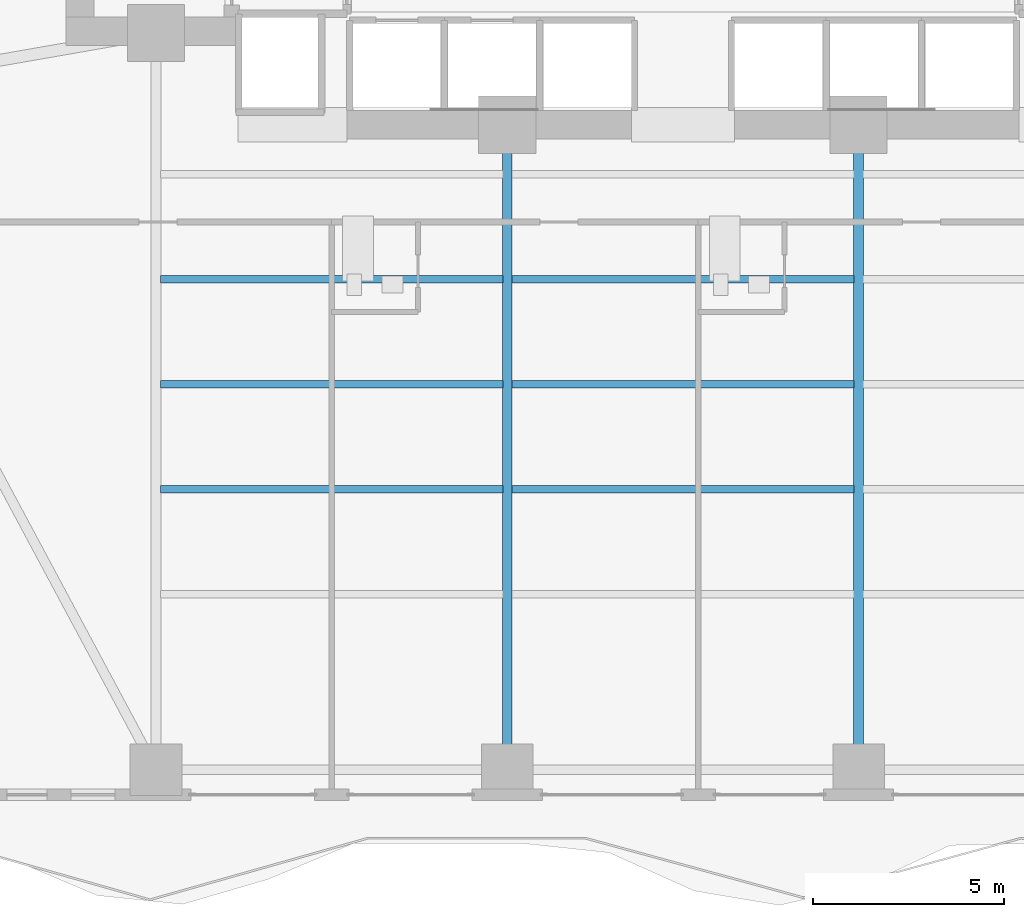
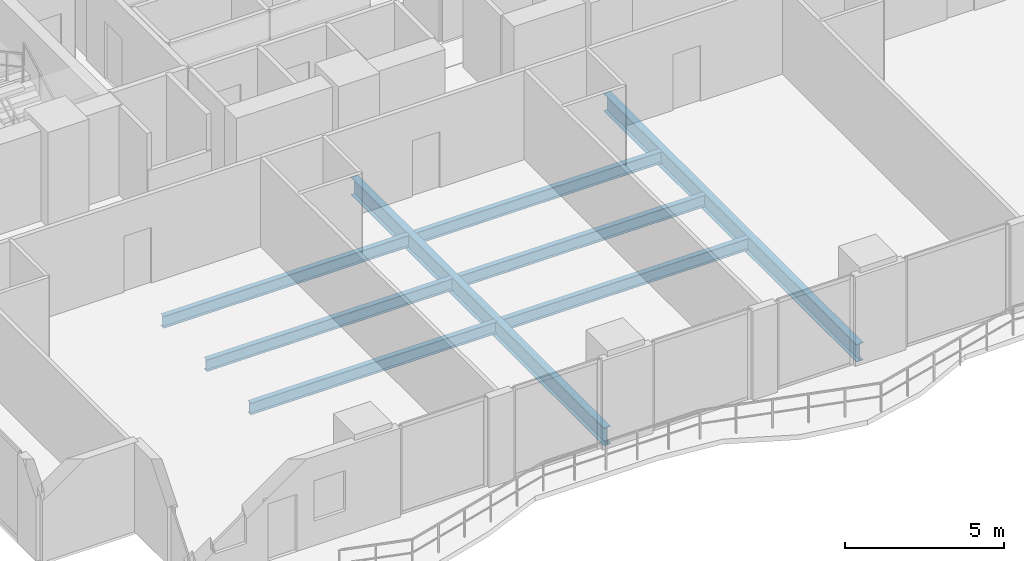
# One storey, part 6 of 27: 8 beams.
"""IFC4 building model written with IfcOpenShell, lengths in metres."""

import ifcopenshell
import ifcopenshell.guid

model = None  # the IFC model being written
_history = None  # IfcOwnerHistory: only IFC2X3 demands one
_inside = {}  # id of a spatial element -> (the spatial element, [elements in it])
_under = {}  # id of a project, library or spatial element -> (it, [spatial elements below it])
_declared = {}  # id of a project -> (the project, [libraries it declares])
_typed = {}  # id of a type object -> (the type object, [elements of that type])
_made_of = {}  # id of a material, layer set ... -> (it, [elements and type objects made of it])


def new_model(schema):
    """Start an empty IFC model of exactly this schema.

    Asked for "IFC4X3", IfcOpenShell would pick the latest addendum, in which some entities
    have other attributes; the version numbers below select the first issue.
    IFC2X3 requires an IfcOwnerHistory on every rooted entity: one is made here for all.
    """
    global model, _history
    if schema == "IFC4X3":
        model = ifcopenshell.file(schema_version=(4, 3, 0, 0))
    else:
        model = ifcopenshell.file(schema=schema)
    _inside.clear()
    _under.clear()
    _declared.clear()
    _typed.clear()
    _made_of.clear()
    _history = None
    if model.schema == "IFC2X3":
        org = make("IfcOrganization", Name="unknown")
        user = make(
            "IfcPersonAndOrganization",
            ThePerson=make("IfcPerson", FamilyName="unknown"),
            TheOrganization=org,
        )
        app = make(
            "IfcApplication",
            ApplicationDeveloper=org,
            Version="unknown",
            ApplicationFullName="unknown",
            ApplicationIdentifier="unknown",
        )
        _history = make(
            "IfcOwnerHistory",
            OwningUser=user,
            OwningApplication=app,
            ChangeAction="ADDED",
            CreationDate=0,
        )
    return model


def make(cls, **values):
    """One entity of the class cls with the attributes given. An attribute that is None is left unset."""
    return model.create_entity(
        cls, **{name: value for name, value in values.items() if value is not None}
    )


def rooted(cls, **values):
    """An entity with a GlobalId (a new one), such as an element, a storey or a relation."""
    return make(cls, GlobalId=ifcopenshell.guid.new(), OwnerHistory=_history, **values)


def si_unit(unit_type, name, prefix=None):
    """IfcSIUnit, for example si_unit("LENGTHUNIT", "METRE", prefix="MILLI")."""
    return make("IfcSIUnit", UnitType=unit_type, Prefix=prefix, Name=name)


def assignment(units):
    """IfcUnitAssignment: the units of a project."""
    return None if units is None else make("IfcUnitAssignment", Units=units)


def point(xyz):
    """IfcCartesianPoint."""
    return None if xyz is None else make("IfcCartesianPoint", Coordinates=xyz)


def direction(xyz):
    """IfcDirection."""
    return None if xyz is None else make("IfcDirection", DirectionRatios=xyz)


def frame(location, z_axis=None, x_axis=None):
    """IfcAxis2Placement3D, a coordinate frame: its origin and axes. An axis left out is left unset."""
    return make(
        "IfcAxis2Placement3D",
        Location=point(location),
        Axis=direction(z_axis),
        RefDirection=direction(x_axis),
    )


def frame_2d(location, x_axis=None):
    """IfcAxis2Placement2D, a coordinate frame in the plane: its origin and x axis."""
    return make(
        "IfcAxis2Placement2D", Location=point(location), RefDirection=direction(x_axis)
    )


def origin():
    """The frame at (0, 0, 0) with its axes left unset."""
    return frame((0.0, 0.0, 0.0))


def origin_2d():
    """The frame at (0, 0) in the plane with its x axis left unset."""
    return frame_2d((0.0, 0.0))


def place(relative_to, where):
    """IfcLocalPlacement: puts the frame where relative to a parent placement (None: the world)."""
    return make(
        "IfcLocalPlacement", PlacementRelTo=relative_to, RelativePlacement=where
    )


def context(
    kind, dimensions, precision=None, world=None, true_north=None, identifier=None
):
    """IfcGeometricRepresentationContext, for example the 3D "Model" context."""
    return make(
        "IfcGeometricRepresentationContext",
        ContextIdentifier=identifier,
        ContextType=kind,
        CoordinateSpaceDimension=dimensions,
        Precision=precision,
        WorldCoordinateSystem=world,
        TrueNorth=true_north,
    )


def subcontext(parent, identifier, kind, view, scale=None):
    """IfcGeometricRepresentationSubContext, for example "Body" below "Model"."""
    return make(
        "IfcGeometricRepresentationSubContext",
        ContextIdentifier=identifier,
        ContextType=kind,
        ParentContext=parent,
        TargetScale=scale,
        TargetView=view,
    )


def project(units=None, contexts=None):
    """IfcProject with its units and contexts."""
    return rooted(
        "IfcProject",
        Name="project",
        RepresentationContexts=contexts,
        UnitsInContext=assignment(units),
    )


def spatial(cls, under=None, at=None, **own):
    """A site, building, storey or space (cls), placed at a placement, below another one or the project."""
    s = rooted(cls, ObjectPlacement=at, **own)
    if under is not None:
        _under.setdefault(under.id(), (under, []))[1].append(s)
    return s


def profile(cls, at=None, kind="AREA", **sizes):
    """A parametric profile (cls). Its sizes go by their IFC names, for example OverallWidth=200.0."""
    return make(cls, ProfileType=kind, Position=at, **sizes)


def i_section(**sizes):
    """IfcIShapeProfileDef."""
    return profile("IfcIShapeProfileDef", **sizes)


def extrude(swept, where, along, depth):
    """IfcExtrudedAreaSolid: the profile swept, set in the frame where, extruded along a direction by depth."""
    return make(
        "IfcExtrudedAreaSolid",
        SweptArea=swept,
        Position=where,
        ExtrudedDirection=direction(along),
        Depth=depth,
    )


def shape(context_of_items, identifier, shape_type, items):
    """IfcShapeRepresentation: the items that make up one representation, for example the "Body"."""
    return make(
        "IfcShapeRepresentation",
        ContextOfItems=context_of_items,
        RepresentationIdentifier=identifier,
        RepresentationType=shape_type,
        Items=items,
    )


def material(Name=None, Category=None):
    """IfcMaterial."""
    return make("IfcMaterial", Name=Name, Category=Category)


def material_profile(
    of_material, cross_section, Name=None, Category=None, Priority=None
):
    """IfcMaterialProfile: a cross section and its material."""
    return make(
        "IfcMaterialProfile",
        Name=Name,
        Material=of_material,
        Profile=cross_section,
        Priority=Priority,
        Category=Category,
    )


def profile_set(profiles, Name=None, composite=None):
    """IfcMaterialProfileSet."""
    return make(
        "IfcMaterialProfileSet",
        Name=Name,
        MaterialProfiles=profiles,
        CompositeProfile=composite,
    )


def made_of(thing, what):
    """Note that an element or type object is made of a material, layer set ...; save() writes the relation."""
    if what is not None:
        _made_of.setdefault(what.id(), (what, []))[1].append(thing)
    return thing


def type_object(cls, material=None, **own):
    """A type object (cls), such as IfcWallType, which elements share."""
    return made_of(rooted(cls, **own), material)


def element(
    cls,
    number,
    at=None,
    inside=None,
    cuts=None,
    type_object=None,
    material=None,
    context=None,
    identifier="Body",
    shape_type=None,
    held_by="IfcProductDefinitionShape",
    body=None,
    shapes=None,
    **own,
):
    """One element of the class cls, such as IfcWall. Its Tag is "e" and its number.

    at: its placement. inside: the storey or other place that contains it. cuts: it is an
    opening in that element (IfcRelVoidsElement). A single representation is given by context,
    identifier, shape_type and body (its items); several are given by shapes. held_by: the class
    of the entity that holds the representations. save() writes the other relations.
    """
    e = rooted(cls, Tag="e%d" % number, ObjectPlacement=at, **own)
    if body is not None:
        shapes = [shape(context, identifier, shape_type, body)]
    if shapes is not None:
        e.Representation = make(held_by, Representations=shapes)
    if inside is not None:
        _inside.setdefault(inside.id(), (inside, []))[1].append(e)
    if cuts is not None:
        rooted(
            "IfcRelVoidsElement", RelatingBuildingElement=cuts, RelatedOpeningElement=e
        )
    if type_object is not None:
        _typed.setdefault(type_object.id(), (type_object, []))[1].append(e)
    return made_of(e, material)


def aggregate(whole, parts):
    """IfcRelAggregates: a whole, such as a stair, and the parts it consists of."""
    return rooted("IfcRelAggregates", RelatingObject=whole, RelatedObjects=parts)


def save(model, path):
    """Write the relations noted so far, then the file.

    IfcRelAggregates (storeys below a building ...), IfcRelContainedInSpatialStructure (elements
    in a storey), IfcRelDefinesByType, IfcRelAssociatesMaterial and IfcRelDeclares: one each for
    every whole, place, type object, material and project.
    """
    for whole, parts in _under.values():
        aggregate(whole, parts)
    for where, things in _inside.values():
        rooted(
            "IfcRelContainedInSpatialStructure",
            RelatedElements=things,
            RelatingStructure=where,
        )
    for kind, things in _typed.values():
        rooted("IfcRelDefinesByType", RelatedObjects=things, RelatingType=kind)
    for what, things in _made_of.values():
        rooted("IfcRelAssociatesMaterial", RelatedObjects=things, RelatingMaterial=what)
    for by, libraries in _declared.values():
        rooted("IfcRelDeclares", RelatingContext=by, RelatedDefinitions=libraries)
    model.write(path)


model = new_model("IFC4")

# Units and contexts
model_context = context("Model", 3, precision=1e-05, world=origin(), true_north=direction((0.0, 1.0)))
body_context = subcontext(model_context, "Body", "Model", "MODEL_VIEW")
ifc_project = project(units=[si_unit("LENGTHUNIT", "METRE"), si_unit("AREAUNIT", "SQUARE_METRE"), si_unit("VOLUMEUNIT", "CUBIC_METRE"), si_unit("PLANEANGLEUNIT", "RADIAN"), si_unit("MASSUNIT", "GRAM", prefix="KILO")], contexts=[model_context])

# Site, building, storey
site_placement = place(None, origin())
site = spatial("IfcSite", under=ifc_project, at=site_placement, CompositionType="ELEMENT")
building_placement = place(site_placement, origin())
building = spatial("IfcBuilding", under=site, at=building_placement, Name="Zuhayl Quay Hotel", CompositionType="ELEMENT")
storey_placement = place(building_placement, frame((0.0, 0.0, 124.85009765625)))
storey = spatial("IfcBuildingStorey", under=building, at=storey_placement, Name="L31", CompositionType="ELEMENT", Elevation=124.85009765625)

# Beams
ifc_material = material(Name="Steel ASTM A992 Grade 50", Category="steel")
ifc_material_profile_1 = material_profile(ifc_material, i_section(OverallWidth=0.25390625, OverallDepth=0.68310546875, WebThickness=0.012451171875, FlangeThickness=0.018798828125, at=origin_2d()), Name="W27X94")
ifc_profile_set_1 = profile_set([ifc_material_profile_1], Name="Steel ASTM A992 Grade 50")
beam_type_1 = type_object("IfcBeamType", Name="BM_B2_W27X94", PredefinedType="BEAM", material=ifc_profile_set_1)
for number, where, z_axis, x_axis, name in (
    (1, (-4.60009765625, -14.25, -0.5615234375), (0.0, 1.0, 0.0), (-1.0, 0.0, 0.0), "L31 Floor Beam FG_S_L31_2"),
    (2, (4.60009765625, -14.25, -0.5615234375), (0.0, 1.0, 0.0), (-1.0, 0.0, 0.0), "L31 Floor Beam FG_S_L31_3"),
):
    element("IfcBeam", number, at=place(storey_placement, frame(where, z_axis=z_axis, x_axis=x_axis)), inside=storey, type_object=beam_type_1, Name=name, PredefinedType="BEAM", context=body_context, shape_type="SweptSolid", body=[
        extrude(i_section(OverallWidth=0.25390625, OverallDepth=0.68310546875, WebThickness=0.012451171875, FlangeThickness=0.018798828125, at=origin_2d()), origin(), (0.0, 0.0, 1.0), 15.949951171875),
    ])
ifc_material_profile_2 = material_profile(ifc_material, i_section(OverallWidth=0.18994140625, OverallDepth=0.45703125, WebThickness=0.009033203125, FlangeThickness=0.014404296875, at=origin_2d()), Name="W18X50")
ifc_profile_set_2 = profile_set([ifc_material_profile_2], Name="Steel ASTM A992 Grade 50")
beam_type_2 = type_object("IfcBeamType", Name="BM_J2_W18X50", PredefinedType="JOIST", material=ifc_profile_set_2)
for number, where, z_axis, x_axis, name in (
    (3, (-13.680908203125, -7.39990234375, -0.448486328125), (1.0, 0.0, 0.0), (0.0, 1.0, 0.0), "L31 Floor Beam FJ_L31_6_1"),
    (4, (-4.48095703125, -7.39990234375, -0.448486328125), (1.0, 0.0, 0.0), (0.0, 1.0, 0.0), "L31 Floor Beam FJ_L31_6_2"),
    (5, (-13.680908203125, -4.64990234375, -0.448486328125), (1.0, 0.0, 0.0), (0.0, 1.0, 0.0), "L31 Floor Beam FJ_L31_7_1"),
    (6, (-4.48095703125, -4.64990234375, -0.448486328125), (1.0, 0.0, 0.0), (0.0, 1.0, 0.0), "L31 Floor Beam FJ_L31_7_2"),
    (7, (-13.680908203125, -1.89990234375, -0.448486328125), (1.0, 0.0, 0.0), (0.0, 1.0, 0.0), "L31 Floor Beam FJ_L31_8_1"),
    (8, (-4.48095703125, -1.89990234375, -0.448486328125), (1.0, 0.0, 0.0), (0.0, 1.0, 0.0), "L31 Floor Beam FJ_L31_8_2"),
):
    element("IfcBeam", number, at=place(storey_placement, frame(where, z_axis=z_axis, x_axis=x_axis)), inside=storey, type_object=beam_type_2, Name=name, PredefinedType="JOIST", context=body_context, shape_type="SweptSolid", body=[
        extrude(i_section(OverallWidth=0.18994140625, OverallDepth=0.45703125, WebThickness=0.009033203125, FlangeThickness=0.014404296875, at=origin_2d()), origin(), (0.0, 0.0, 1.0), 8.9619140625),
    ])

save(model, "model.ifc")
